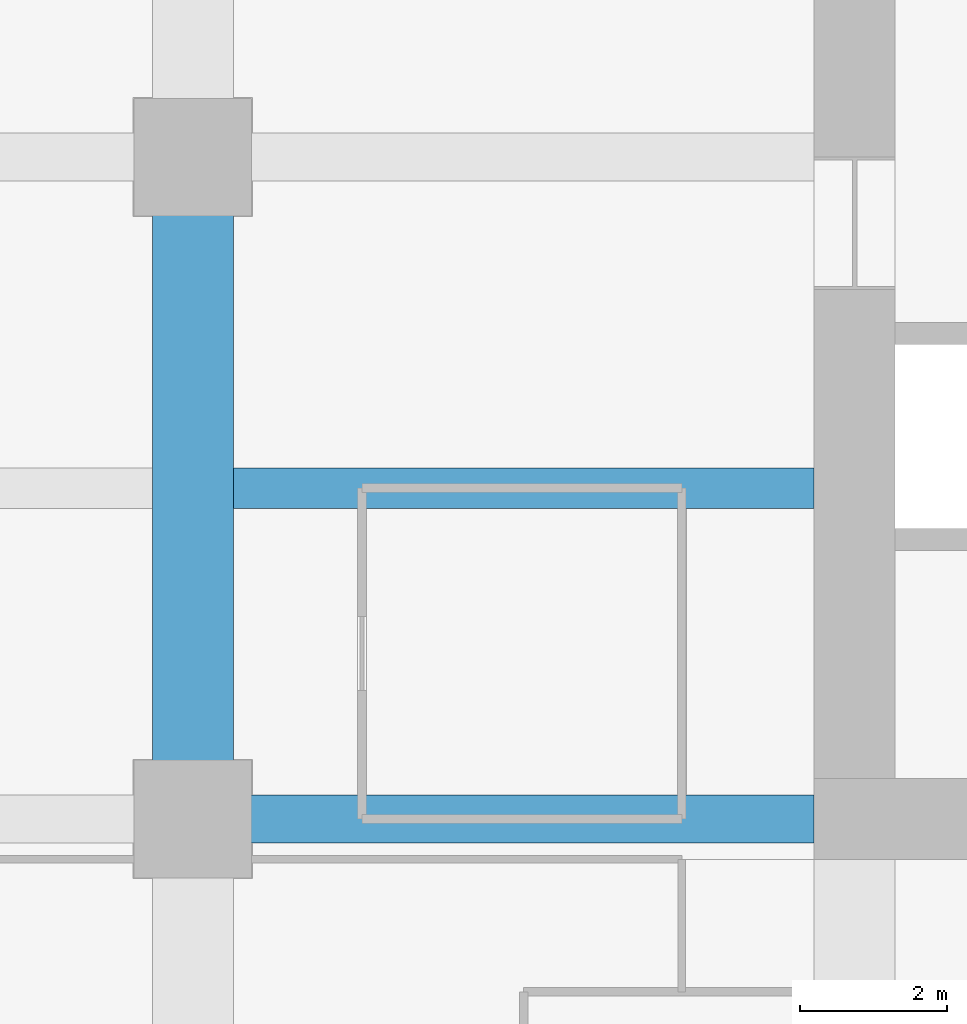
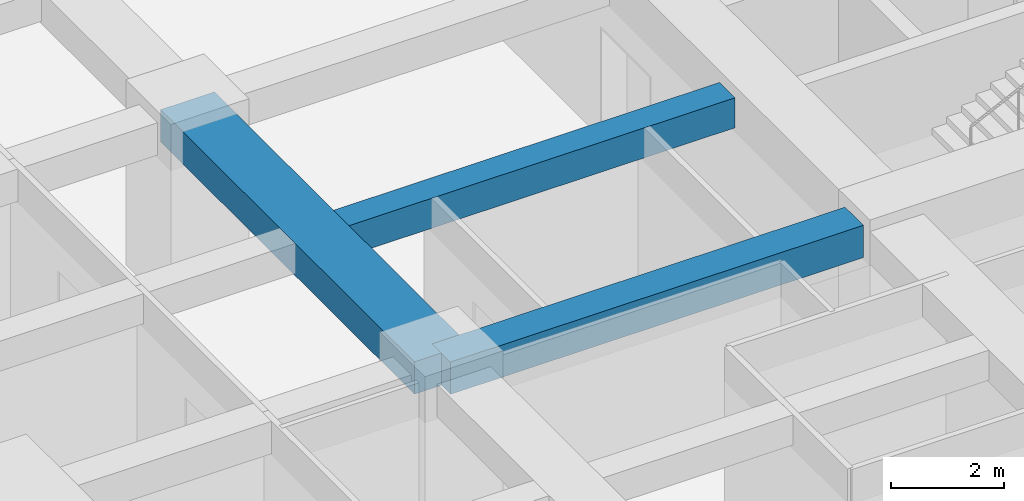
# One storey, part 10 of 34: 3 beams.
"""IFC4 building model written with IfcOpenShell, lengths in metres."""

from ifc_helpers import new_model, si_unit, direction, frame, origin, origin_2d, place, context, subcontext, project, spatial, rectangle, extrude, material, material_profile, profile_set, type_object, element, save


model = new_model("IFC4")

# Units and contexts
model_context = context("Model", 3, precision=1e-05, world=origin(), true_north=direction((0.0, 1.0)))
body_context = subcontext(model_context, "Body", "Model", "MODEL_VIEW")
ifc_project = project(units=[si_unit("LENGTHUNIT", "METRE"), si_unit("AREAUNIT", "SQUARE_METRE"), si_unit("VOLUMEUNIT", "CUBIC_METRE"), si_unit("PLANEANGLEUNIT", "RADIAN"), si_unit("MASSUNIT", "GRAM", prefix="KILO")], contexts=[model_context])

# Site, building, storey
site_placement = place(None, origin())
site = spatial("IfcSite", under=ifc_project, at=site_placement, CompositionType="ELEMENT")
building_placement = place(site_placement, origin())
building = spatial("IfcBuilding", under=site, at=building_placement, Name="Zorevar Civic Tower", CompositionType="ELEMENT")
storey_placement = place(building_placement, frame((0.0, 0.0, 170.199951171875)))
storey = spatial("IfcBuildingStorey", under=building, at=storey_placement, Name="L41", CompositionType="ELEMENT", Elevation=170.199951171875)

# Beams
ifc_material_1 = material(Name="Concrete C50/60", Category="concrete")
ifc_material_profile_1 = material_profile(ifc_material_1, rectangle(XDim=1.10009765625, YDim=0.699951171875, at=origin_2d()), Name="RC 1100x700")
ifc_profile_set_1 = profile_set([ifc_material_profile_1], Name="Concrete C50/60")
beam_type_1 = type_object("IfcBeamType", Name="Beam RC 1100x700", PredefinedType="BEAM", material=ifc_profile_set_1)
beam_1_placement = place(storey_placement, frame((9.0, 18.0, 3.400146484375), z_axis=(0.0, 1.0, 0.0), x_axis=(-1.0, 0.0, 0.0)))
element("IfcBeam", 1, at=beam_1_placement, inside=storey, type_object=beam_type_1, Name="Girder L42", PredefinedType="BEAM", context=body_context, shape_type="SweptSolid", body=[
    extrude(rectangle(XDim=1.10009765625, YDim=0.699951171875, at=origin_2d()), origin(), (0.0, 0.0, 1.0), 9.0),
])
ifc_material_2 = material(Name="Concrete C50/60", Category="concrete")
ifc_material_profile_2 = material_profile(ifc_material_2, rectangle(XDim=0.550048828125, YDim=0.64990234375, at=origin_2d()), Name="RC 550x650")
ifc_profile_set_2 = profile_set([ifc_material_profile_2], Name="Concrete C50/60")
beam_type_2 = type_object("IfcBeamType", Name="Beam RC 550x650", PredefinedType="BEAM", material=ifc_profile_set_2)
beam_2_placement = place(storey_placement, frame((9.550048828125, 22.5, 3.425048828125), z_axis=(1.0, 0.0, 0.0), x_axis=(0.0, 1.0, 0.0)))
element("IfcBeam", 2, at=beam_2_placement, inside=storey, type_object=beam_type_2, Name="Secondary beam L42", PredefinedType="BEAM", context=body_context, shape_type="SweptSolid", body=[
    extrude(rectangle(XDim=0.550048828125, YDim=0.64990234375, at=origin_2d()), origin(), (0.0, 0.0, 1.0), 7.89990234375),
])
ifc_material_3 = material(Name="Concrete C50/60", Category="concrete")
ifc_material_profile_3 = material_profile(ifc_material_3, rectangle(XDim=0.64990234375, YDim=0.699951171875, at=origin_2d()), Name="RC 650x700")
ifc_profile_set_3 = profile_set([ifc_material_profile_3], Name="Concrete C50/60")
beam_type_3 = type_object("IfcBeamType", Name="Beam RC 650x700", PredefinedType="BEAM", material=ifc_profile_set_3)
beam_3_placement = place(storey_placement, frame((9.0, 18.0, 3.400146484375), z_axis=(1.0, 0.0, 0.0), x_axis=(0.0, 1.0, 0.0)))
element("IfcBeam", 3, at=beam_3_placement, inside=storey, type_object=beam_type_3, Name="Girder L42", PredefinedType="BEAM", context=body_context, shape_type="SweptSolid", body=[
    extrude(rectangle(XDim=0.64990234375, YDim=0.699951171875, at=origin_2d()), origin(), (0.0, 0.0, 1.0), 8.449951171875),
])

save(model, "model.ifc")
